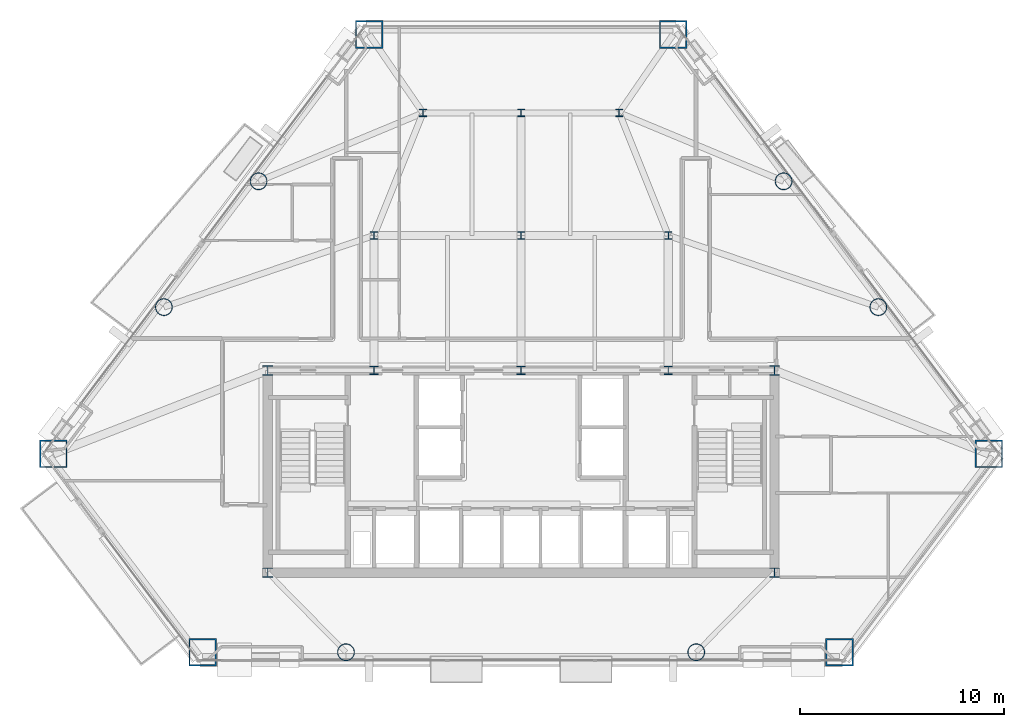
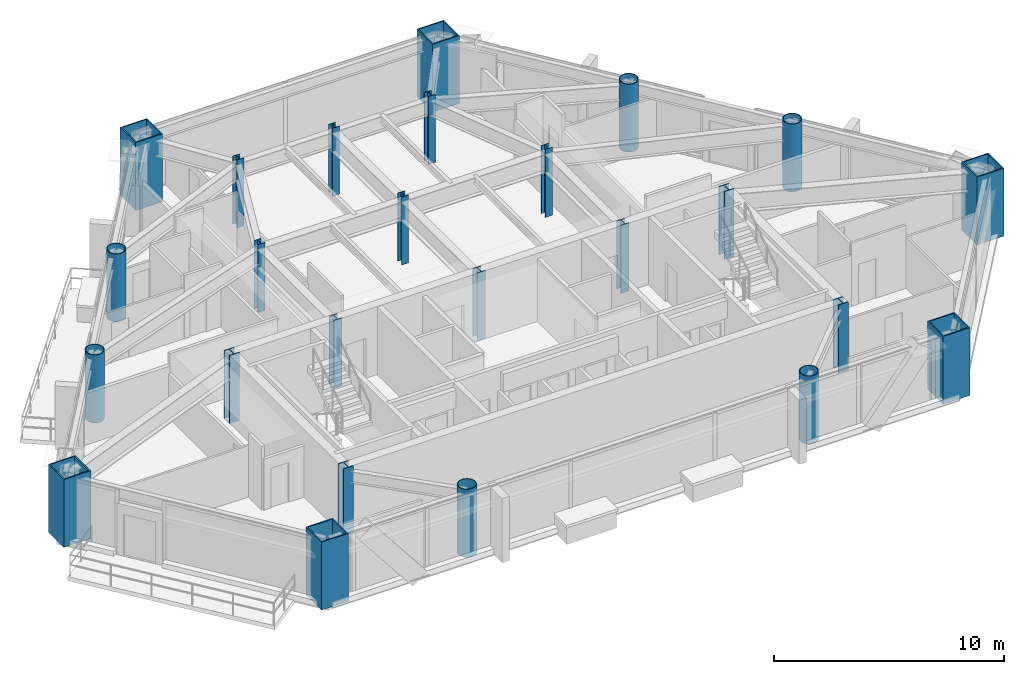
# One storey, part 1 of 14: 25 columns.
"""IFC4 building model written with IfcOpenShell, lengths in metres."""

from ifc_helpers import new_model, si_unit, direction, frame, origin, origin_2d, place, context, subcontext, project, spatial, hollow_rectangle, hollow_circle, i_section, extrude, material, material_profile, profile_set, type_object, element, save


model = new_model("IFC4")

# Units and contexts
model_context = context("Model", 3, precision=1e-05, world=origin(), true_north=direction((0.0, 1.0)))
body_context = subcontext(model_context, "Body", "Model", "MODEL_VIEW")
ifc_project = project(units=[si_unit("LENGTHUNIT", "METRE"), si_unit("AREAUNIT", "SQUARE_METRE"), si_unit("VOLUMEUNIT", "CUBIC_METRE"), si_unit("PLANEANGLEUNIT", "RADIAN"), si_unit("MASSUNIT", "GRAM", prefix="KILO")], contexts=[model_context])

# Site, building, storey
site_placement = place(None, origin())
site = spatial("IfcSite", under=ifc_project, at=site_placement, CompositionType="ELEMENT")
building_placement = place(site_placement, origin())
building = spatial("IfcBuilding", under=site, at=building_placement, Name="Talgorran Terracotta Tower", CompositionType="ELEMENT")
storey_placement = place(building_placement, frame((0.0, 0.0, 53.10009765625)))
storey = spatial("IfcBuildingStorey", under=building, at=storey_placement, Name="L13", CompositionType="ELEMENT", Elevation=53.10009765625)

# Columns
ifc_material_1 = material(Name="Steel S355 (300PLUS)", Category="steel")
ifc_material_profile_1 = material_profile(ifc_material_1, i_section(OverallWidth=0.35009765625, OverallDepth=0.366943359375, WebThickness=0.02490234375, FlangeThickness=0.031982421875, at=origin_2d()), Name="350WC258")
ifc_profile_set_1 = profile_set([ifc_material_profile_1], Name="Steel S355 (300PLUS)")
column_type_1 = type_object("IfcColumnType", Name="COL_350WC258", PredefinedType="COLUMN", material=ifc_profile_set_1)
for number, where, z_axis, x_axis, name in (
    (1, (-7.199951171875, 2.39990234375, 0.0), (0.0, 0.0, 1.0), (1.0, 0.0, 0.0), "L13 Interior Gravity Column IC1"),
    (2, (0.0, 2.39990234375, 0.0), (0.0, 0.0, 1.0), (1.0, 0.0, 0.0), "L13 Interior Gravity Column IC2"),
    (3, (7.199951171875, 2.39990234375, 0.0), (0.0, 0.0, 1.0), (1.0, 0.0, 0.0), "L13 Interior Gravity Column IC3"),
    (4, (-4.800048828125, 8.39990234375, 0.0), (0.0, 0.0, 1.0), (1.0, 0.0, 0.0), "L13 Interior Gravity Column IC4"),
    (5, (0.0, 8.39990234375, 0.0), (0.0, 0.0, 1.0), (1.0, 0.0, 0.0), "L13 Interior Gravity Column IC5"),
    (6, (4.800048828125, 8.39990234375, 0.0), (0.0, 0.0, 1.0), (1.0, 0.0, 0.0), "L13 Interior Gravity Column IC6"),
):
    element("IfcColumn", number, at=place(storey_placement, frame(where, z_axis=z_axis, x_axis=x_axis)), inside=storey, type_object=column_type_1, Name=name, PredefinedType="COLUMN", context=body_context, shape_type="SweptSolid", body=[
        extrude(i_section(OverallWidth=0.35009765625, OverallDepth=0.366943359375, WebThickness=0.02490234375, FlangeThickness=0.031982421875, at=origin_2d()), origin(), (0.0, 0.0, 1.0), 3.599853515625),
    ])
ifc_material_profile_2 = material_profile(ifc_material_1, i_section(OverallWidth=0.5, OverallDepth=0.48193359375, WebThickness=0.0400390625, FlangeThickness=0.044921875, at=origin_2d()), Name="500WC440")
ifc_profile_set_2 = profile_set([ifc_material_profile_2], Name="Steel S355 (300PLUS)")
column_type_2 = type_object("IfcColumnType", Name="COL_500WC440", PredefinedType="COLUMN", material=ifc_profile_set_2)
for number, where, z_axis, x_axis, name in (
    (7, (-12.39990234375, -14.10009765625, 0.0), (0.0, 0.0, 1.0), (1.0, 0.0, 0.0), "L13 Core Boundary Column CC1"),
    (8, (12.39990234375, -14.10009765625, 0.0), (0.0, 0.0, 1.0), (1.0, 0.0, 0.0), "L13 Core Boundary Column CC2"),
    (9, (12.39990234375, -4.199951171875, 0.0), (0.0, 0.0, 1.0), (1.0, 0.0, 0.0), "L13 Core Boundary Column CC3"),
    (10, (-12.39990234375, -4.199951171875, 0.0), (0.0, 0.0, 1.0), (1.0, 0.0, 0.0), "L13 Core Boundary Column CC4"),
):
    element("IfcColumn", number, at=place(storey_placement, frame(where, z_axis=z_axis, x_axis=x_axis)), inside=storey, type_object=column_type_2, Name=name, PredefinedType="COLUMN", context=body_context, shape_type="SweptSolid", body=[
        extrude(i_section(OverallWidth=0.5, OverallDepth=0.48193359375, WebThickness=0.0400390625, FlangeThickness=0.044921875, at=origin_2d()), origin(), (0.0, 0.0, 1.0), 3.599853515625),
    ])
ifc_material_2 = material(Name="Steel Grade 350 (350L0)", Category="steel")
ifc_material_profile_3 = material_profile(ifc_material_2, hollow_rectangle(XDim=1.35009765625, YDim=1.35009765625, WallThickness=0.06494140625, at=origin_2d()), Name="CFT1350X1350X65")
ifc_profile_set_3 = profile_set([ifc_material_profile_3], Name="Steel Grade 350 (350L0)")
column_type_3 = type_object("IfcColumnType", Name="COL_CFT_1350", PredefinedType="COLUMN", material=ifc_profile_set_3)
for number, where, z_axis, x_axis, name in (
    (11, (-22.88525390625, -8.28662109375, 0.0), (0.0, 0.0, 1.0), (1.0, 0.0, 0.0), "L13 Corner CFT Mega-Column MC1"),
    (12, (-15.57958984375, -17.9912109375, 0.0), (0.0, 0.0, 1.0), (1.0, 0.0, 0.0), "L13 Corner CFT Mega-Column MC2"),
    (13, (15.57958984375, -17.9912109375, 0.0), (0.0, 0.0, 1.0), (1.0, 0.0, 0.0), "L13 Corner CFT Mega-Column MC3"),
    (14, (22.88525390625, -8.28662109375, 0.0), (0.0, 0.0, 1.0), (1.0, 0.0, 0.0), "L13 Corner CFT Mega-Column MC4"),
    (15, (7.437744140625, 12.2333984375, 0.0), (0.0, 0.0, 1.0), (1.0, 0.0, 0.0), "L13 Corner CFT Mega-Column MC5"),
    (16, (-7.437744140625, 12.2333984375, 0.0), (0.0, 0.0, 1.0), (1.0, 0.0, 0.0), "L13 Corner CFT Mega-Column MC6"),
):
    element("IfcColumn", number, at=place(storey_placement, frame(where, z_axis=z_axis, x_axis=x_axis)), inside=storey, type_object=column_type_3, Name=name, PredefinedType="COLUMN", context=body_context, shape_type="SweptSolid", body=[
        extrude(hollow_rectangle(XDim=1.35009765625, YDim=1.35009765625, WallThickness=0.06494140625, at=origin_2d()), origin(), (0.0, 0.0, 1.0), 3.599853515625),
    ])
ifc_material_profile_4 = material_profile(ifc_material_2, hollow_circle(Radius=0.425048828125, WallThickness=0.0380859375, at=origin_2d()), Name="CHS850X38")
ifc_profile_set_4 = profile_set([ifc_material_profile_4], Name="Steel Grade 350 (350L0)")
column_type_4 = type_object("IfcColumnType", Name="COL_CHS_850", PredefinedType="COLUMN", material=ifc_profile_set_4)
for number, where, z_axis, x_axis, name in (
    (17, (-8.56884765625, -17.9912109375, 0.0), (0.0, 0.0, 1.0), (1.0, 0.0, 0.0), "L13 Facet Perimeter Column FC1"),
    (18, (8.56884765625, -17.9912109375, 0.0), (0.0, 0.0, 1.0), (1.0, 0.0, 0.0), "L13 Facet Perimeter Column FC2"),
    (19, (17.478515625, -1.1044921875, 0.0), (0.0, 0.0, 1.0), (1.0, 0.0, 0.0), "L13 Facet Perimeter Column FC3"),
    (20, (12.844482421875, 5.05126953125, 0.0), (0.0, 0.0, 1.0), (1.0, 0.0, 0.0), "L13 Facet Perimeter Column FC4"),
    (21, (-12.844482421875, 5.05126953125, 0.0), (0.0, 0.0, 1.0), (1.0, 0.0, 0.0), "L13 Facet Perimeter Column FC5"),
    (22, (-17.478515625, -1.1044921875, 0.0), (0.0, 0.0, 1.0), (1.0, 0.0, 0.0), "L13 Facet Perimeter Column FC6"),
):
    element("IfcColumn", number, at=place(storey_placement, frame(where, z_axis=z_axis, x_axis=x_axis)), inside=storey, type_object=column_type_4, Name=name, PredefinedType="COLUMN", context=body_context, shape_type="SweptSolid", body=[
        extrude(hollow_circle(Radius=0.425048828125, WallThickness=0.0380859375, at=origin_2d()), origin(), (0.0, 0.0, 1.0), 3.599853515625),
    ])
ifc_material_profile_5 = material_profile(ifc_material_1, i_section(OverallWidth=0.405029296875, OverallDepth=0.4140625, WebThickness=0.02197265625, FlangeThickness=0.031982421875, at=origin_2d()), Name="400WC270")
ifc_profile_set_5 = profile_set([ifc_material_profile_5], Name="Steel S355 (300PLUS)")
column_type_5 = type_object("IfcColumnType", Name="COL_PIL_400WC270", PredefinedType="PILASTER", material=ifc_profile_set_5)
for number, where, z_axis, x_axis, name in (
    (23, (-7.199951171875, -4.199951171875, 0.0), (0.0, 0.0, 1.0), (1.0, 0.0, 0.0), "L13 Core Shear Pilaster CP1"),
    (24, (0.0, -4.199951171875, 0.0), (0.0, 0.0, 1.0), (1.0, 0.0, 0.0), "L13 Core Shear Pilaster CP2"),
    (25, (7.199951171875, -4.199951171875, 0.0), (0.0, 0.0, 1.0), (1.0, 0.0, 0.0), "L13 Core Shear Pilaster CP3"),
):
    element("IfcColumn", number, at=place(storey_placement, frame(where, z_axis=z_axis, x_axis=x_axis)), inside=storey, type_object=column_type_5, Name=name, PredefinedType="PILASTER", context=body_context, shape_type="SweptSolid", body=[
        extrude(i_section(OverallWidth=0.405029296875, OverallDepth=0.4140625, WebThickness=0.02197265625, FlangeThickness=0.031982421875, at=origin_2d()), origin(), (0.0, 0.0, 1.0), 3.599853515625),
    ])

save(model, "model.ifc")
